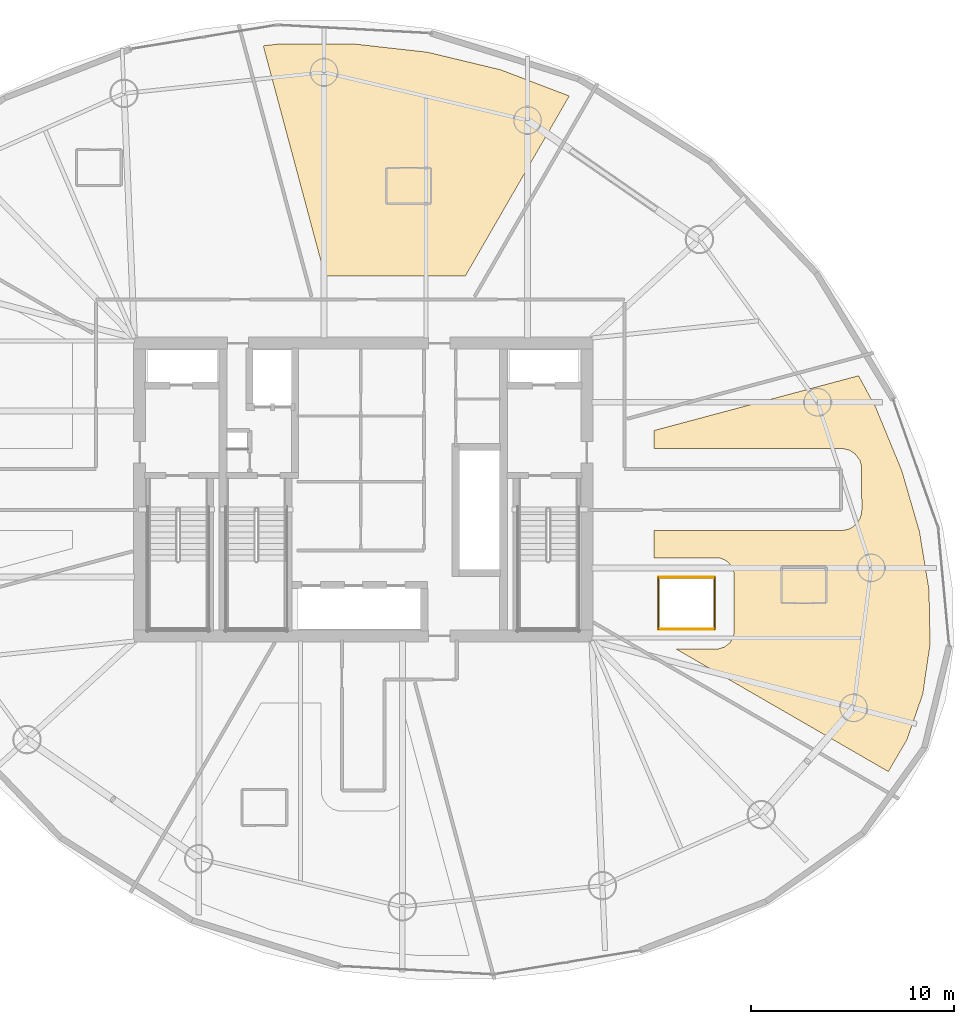
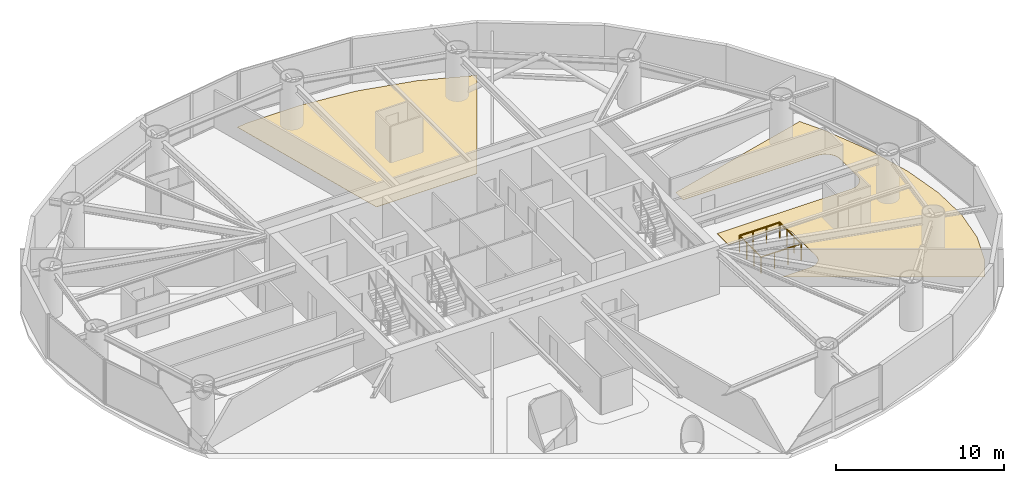
# One storey, part 20 of 20: 4 railings, 2 coverings.
"""IFC4 building model written with IfcOpenShell, lengths in metres."""

from ifc_helpers import new_model, si_unit, direction, frame, origin, origin_2d, place, context, subcontext, project, spatial, polyline, circle, outline, extrude, material, layer, layer_set, type_object, element, save


model = new_model("IFC4")

# Units and contexts
model_context = context("Model", 3, precision=1e-05, world=origin(), true_north=direction((0.0, 1.0)))
body_context = subcontext(model_context, "Body", "Model", "MODEL_VIEW")
ifc_project = project(units=[si_unit("LENGTHUNIT", "METRE"), si_unit("AREAUNIT", "SQUARE_METRE"), si_unit("VOLUMEUNIT", "CUBIC_METRE"), si_unit("PLANEANGLEUNIT", "RADIAN"), si_unit("MASSUNIT", "GRAM", prefix="KILO")], contexts=[model_context])

# Site, building, storey
site_placement = place(None, origin())
site = spatial("IfcSite", under=ifc_project, at=site_placement, CompositionType="ELEMENT")
building_placement = place(site_placement, origin())
building = spatial("IfcBuilding", under=site, at=building_placement, Name="Bramvorn Convention Spire", CompositionType="ELEMENT")
storey_placement = place(building_placement, frame((0.0, 0.0, 130.800048828125)))
storey = spatial("IfcBuildingStorey", under=building, at=storey_placement, Name="L32", CompositionType="ELEMENT", Elevation=130.800048828125)

# Coverings
ifc_material_1 = material(Name="Solution-Dyed Wool Broadloom Hospitality Carpet", Category="textile")
ifc_layer = layer(ifc_material_1, 0.014892578125)
ifc_layer_set = layer_set([ifc_layer], Name="Solution-Dyed Wool Broadloom Hospitality Carpet - FLR-CARPET-15")
covering_type = type_object("IfcCoveringType", Name="FLR-CARPET-15", PredefinedType="FLOORING", material=ifc_layer_set)
covering_1_placement = place(storey_placement, origin())
element("IfcCovering", 1, at=covering_1_placement, inside=storey, type_object=covering_type, Name="Hotel Suite 3202 wool broadloom carpet", PredefinedType="FLOORING", context=body_context, shape_type="SweptSolid", body=[
    extrude(outline(polyline([(33.82373046875, 47.9033203125), (33.0849609375, 47.8203125), (36.118408203125, 36.5), (43.02294921875, 36.5), (48.1337890625, 45.35205078125), (44.75830078125, 46.642333984375), (41.1630859375, 47.5048828125), (37.492431640625, 47.9169921875), (33.82373046875, 47.9033203125)])), origin(), (0.0, 0.0, 1.0), 0.014892578125),
])
covering_2_placement = place(storey_placement, origin())
element("IfcCovering", 2, at=covering_2_placement, inside=storey, type_object=covering_type, Name="Hotel Suite 3208 wool broadloom carpet", PredefinedType="FLOORING", context=body_context, shape_type="SweptSolid", body=[
    extrude(outline(polyline([(63.82421875, 12.129638671875), (64.742431640625, 13.69970703125), (65.518310546875, 15.942626953125), (65.878662109375, 18.39794921875), (65.82470703125, 21.068115234375), (65.35791015625, 23.9296875), (64.484130859375, 26.935546875), (63.21240234375, 30.018798828125), (62.36328125, 31.596435546875), (52.300048828125, 28.89990234375), (52.300048828125, 28.02001953125), (61.555908203125, 28.018310546875), (61.9306640625, 27.924560546875), (62.189208984375, 27.751708984375), (62.41943359375, 27.44140625), (62.509765625, 27.143798828125), (62.52001953125, 25.0), (62.49072265625, 24.7578125), (62.41943359375, 24.55859375), (62.251708984375, 24.310791015625), (62.029296875, 24.12841796875), (61.837890625, 24.037841796875), (61.5, 23.97998046875), (52.300048828125, 23.97998046875), (52.300048828125, 22.636474609375), (55.525634765625, 22.6328125), (55.7744140625, 22.543701171875), (55.986328125, 22.386474609375), (56.143798828125, 22.17431640625), (56.232666015625, 21.925537109375), (56.24560546875, 18.9619140625), (56.181396484375, 18.70556640625), (56.045654296875, 18.47900390625), (55.7744140625, 18.25634765625), (55.438232421875, 18.154296875), (53.396484375, 18.14990234375), (63.82421875, 12.129638671875)])), origin(), (0.0, 0.0, 1.0), 0.014892578125),
])

# Railings
ifc_material_2 = material(Name="Warm Bronze Perforated Metal & Glass Balustrade", Category="glass")
railing_type = type_object("IfcRailingType", Name="RL-POD-BALUSTRADE-1200", PredefinedType="BALUSTRADE", material=ifc_material_2)
railing_1_placement = place(storey_placement, frame((52.52001953125, 19.1201171875, 0.0)))
element("IfcRailing", 3, at=railing_1_placement, inside=storey, type_object=railing_type, Name="L32 Feature atrium void balustrade 1", PredefinedType="BALUSTRADE", context=body_context, shape_type="SweptSolid", body=[
    extrude(circle(Radius=0.02392578125, at=origin_2d()), frame((0.0, 0.0, 1.17578125), z_axis=(1.0, 0.0, 0.0), x_axis=(0.0, 1.0, 0.0)), (0.0, 0.0, 1.0), 2.760009765625),
    extrude(circle(Radius=0.02099609375, at=origin_2d()), origin(), (0.0, 0.0, 1.0), 1.15185546875),
    extrude(circle(Radius=0.02099609375, at=origin_2d()), frame((0.919921875, 0.0, 0.0)), (0.0, 0.0, 1.0), 1.15185546875),
    extrude(circle(Radius=0.02099609375, at=origin_2d()), frame((1.840087890625, 0.0, 0.0)), (0.0, 0.0, 1.0), 1.15185546875),
    extrude(circle(Radius=0.02099609375, at=origin_2d()), frame((2.760009765625, 0.0, 0.0)), (0.0, 0.0, 1.0), 1.15185546875),
])
railing_2_placement = place(storey_placement, frame((55.280029296875, 19.1201171875, 0.0)))
element("IfcRailing", 4, at=railing_2_placement, inside=storey, type_object=railing_type, Name="L32 Feature atrium void balustrade 2", PredefinedType="BALUSTRADE", context=body_context, shape_type="SweptSolid", body=[
    extrude(circle(Radius=0.02392578125, at=origin_2d()), frame((0.0, 0.0, 1.17578125), z_axis=(0.0, 1.0, 0.0), x_axis=(-1.0, 0.0, 0.0)), (0.0, 0.0, 1.0), 2.559814453125),
    extrude(circle(Radius=0.02099609375, at=origin_2d()), origin(), (0.0, 0.0, 1.0), 1.15185546875),
    extrude(circle(Radius=0.02099609375, at=origin_2d()), frame((0.0, 0.853271484375, 0.0)), (0.0, 0.0, 1.0), 1.15185546875),
    extrude(circle(Radius=0.02099609375, at=origin_2d()), frame((0.0, 1.70654296875, 0.0)), (0.0, 0.0, 1.0), 1.15185546875),
    extrude(circle(Radius=0.02099609375, at=origin_2d()), frame((0.0, 2.559814453125, 0.0)), (0.0, 0.0, 1.0), 1.15185546875),
])
railing_3_placement = place(storey_placement, frame((55.280029296875, 21.679931640625, 0.0)))
element("IfcRailing", 5, at=railing_3_placement, inside=storey, type_object=railing_type, Name="L32 Feature atrium void balustrade 3", PredefinedType="BALUSTRADE", context=body_context, shape_type="SweptSolid", body=[
    extrude(circle(Radius=0.02392578125, at=origin_2d()), frame((0.0, 0.0, 1.17578125), z_axis=(-1.0, 0.0, 0.0), x_axis=(0.0, -1.0, 0.0)), (0.0, 0.0, 1.0), 2.760009765625),
    extrude(circle(Radius=0.02099609375, at=origin_2d()), origin(), (0.0, 0.0, 1.0), 1.15185546875),
    extrude(circle(Radius=0.02099609375, at=origin_2d()), frame((-0.919921875, 0.0, 0.0)), (0.0, 0.0, 1.0), 1.15185546875),
    extrude(circle(Radius=0.02099609375, at=origin_2d()), frame((-1.840087890625, 0.0, 0.0)), (0.0, 0.0, 1.0), 1.15185546875),
    extrude(circle(Radius=0.02099609375, at=origin_2d()), frame((-2.760009765625, 0.0, 0.0)), (0.0, 0.0, 1.0), 1.15185546875),
])
railing_4_placement = place(storey_placement, frame((52.52001953125, 21.679931640625, 0.0)))
element("IfcRailing", 6, at=railing_4_placement, inside=storey, type_object=railing_type, Name="L32 Feature atrium void balustrade 4", PredefinedType="BALUSTRADE", context=body_context, shape_type="SweptSolid", body=[
    extrude(circle(Radius=0.02392578125, at=origin_2d()), frame((0.0, 0.0, 1.17578125), z_axis=(0.0, -1.0, 0.0), x_axis=(1.0, 0.0, 0.0)), (0.0, 0.0, 1.0), 2.559814453125),
    extrude(circle(Radius=0.02099609375, at=origin_2d()), origin(), (0.0, 0.0, 1.0), 1.15185546875),
    extrude(circle(Radius=0.02099609375, at=origin_2d()), frame((0.0, -0.853271484375, 0.0)), (0.0, 0.0, 1.0), 1.15185546875),
    extrude(circle(Radius=0.02099609375, at=origin_2d()), frame((0.0, -1.70654296875, 0.0)), (0.0, 0.0, 1.0), 1.15185546875),
    extrude(circle(Radius=0.02099609375, at=origin_2d()), frame((0.0, -2.559814453125, 0.0)), (0.0, 0.0, 1.0), 1.15185546875),
])

save(model, "model.ifc")
